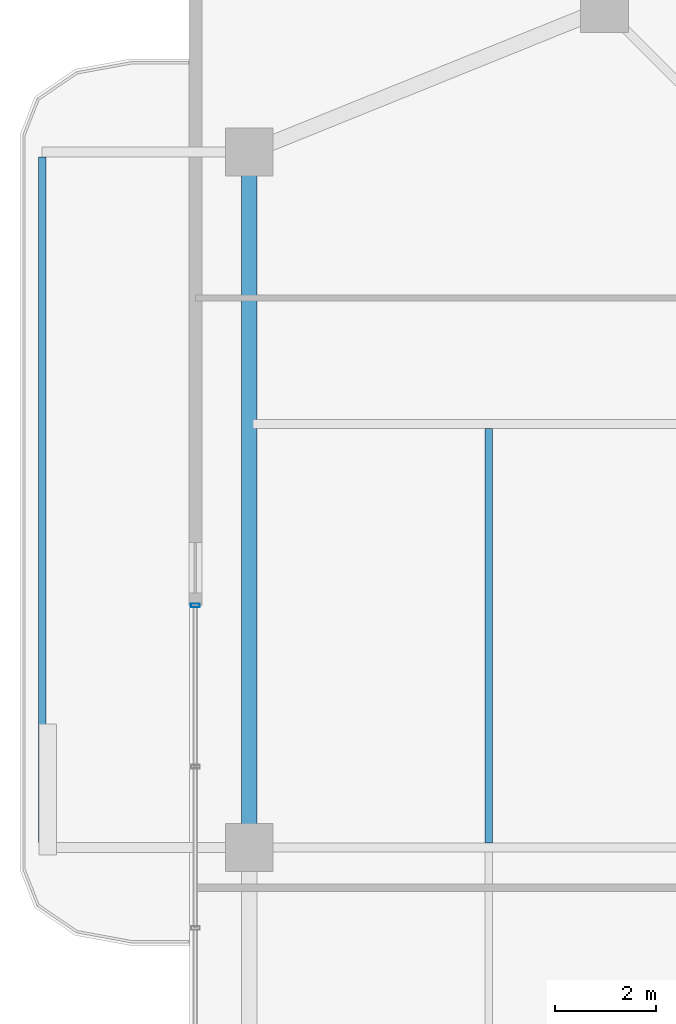
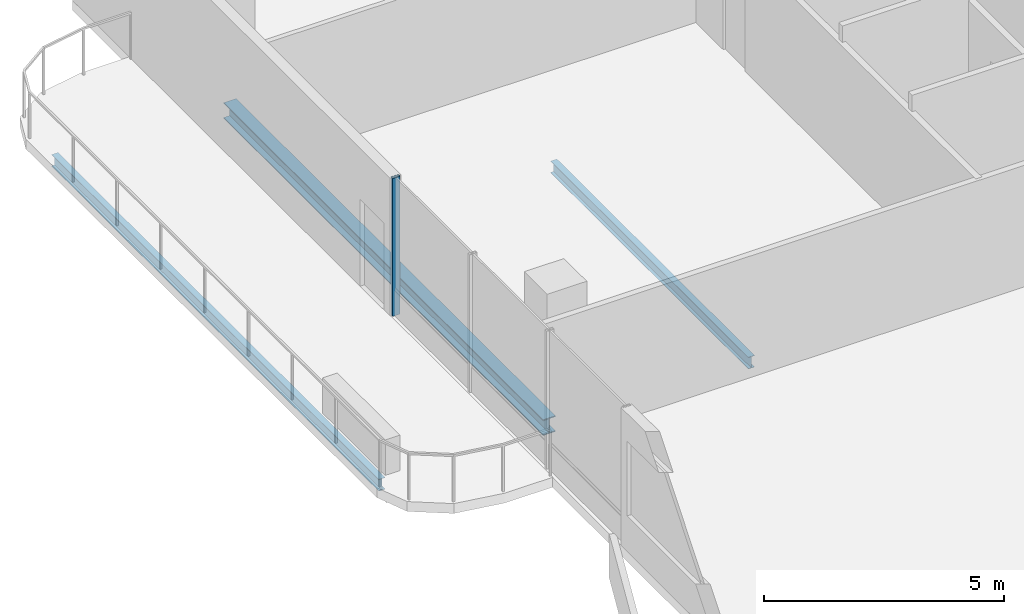
# One storey, part 11 of 23: 3 beams, 1 member, 1 element without a shape of its own.
"""IFC4 building model written with IfcOpenShell, lengths in metres."""

import ifcopenshell
import ifcopenshell.guid

model = None  # the IFC model being written
_history = None  # IfcOwnerHistory: only IFC2X3 demands one
_inside = {}  # id of a spatial element -> (the spatial element, [elements in it])
_under = {}  # id of a project, library or spatial element -> (it, [spatial elements below it])
_declared = {}  # id of a project -> (the project, [libraries it declares])
_typed = {}  # id of a type object -> (the type object, [elements of that type])
_made_of = {}  # id of a material, layer set ... -> (it, [elements and type objects made of it])


def new_model(schema):
    """Start an empty IFC model of exactly this schema.

    Asked for "IFC4X3", IfcOpenShell would pick the latest addendum, in which some entities
    have other attributes; the version numbers below select the first issue.
    IFC2X3 requires an IfcOwnerHistory on every rooted entity: one is made here for all.
    """
    global model, _history
    if schema == "IFC4X3":
        model = ifcopenshell.file(schema_version=(4, 3, 0, 0))
    else:
        model = ifcopenshell.file(schema=schema)
    _inside.clear()
    _under.clear()
    _declared.clear()
    _typed.clear()
    _made_of.clear()
    _history = None
    if model.schema == "IFC2X3":
        org = make("IfcOrganization", Name="unknown")
        user = make(
            "IfcPersonAndOrganization",
            ThePerson=make("IfcPerson", FamilyName="unknown"),
            TheOrganization=org,
        )
        app = make(
            "IfcApplication",
            ApplicationDeveloper=org,
            Version="unknown",
            ApplicationFullName="unknown",
            ApplicationIdentifier="unknown",
        )
        _history = make(
            "IfcOwnerHistory",
            OwningUser=user,
            OwningApplication=app,
            ChangeAction="ADDED",
            CreationDate=0,
        )
    return model


def make(cls, **values):
    """One entity of the class cls with the attributes given. An attribute that is None is left unset."""
    return model.create_entity(
        cls, **{name: value for name, value in values.items() if value is not None}
    )


def rooted(cls, **values):
    """An entity with a GlobalId (a new one), such as an element, a storey or a relation."""
    return make(cls, GlobalId=ifcopenshell.guid.new(), OwnerHistory=_history, **values)


def si_unit(unit_type, name, prefix=None):
    """IfcSIUnit, for example si_unit("LENGTHUNIT", "METRE", prefix="MILLI")."""
    return make("IfcSIUnit", UnitType=unit_type, Prefix=prefix, Name=name)


def assignment(units):
    """IfcUnitAssignment: the units of a project."""
    return None if units is None else make("IfcUnitAssignment", Units=units)


def point(xyz):
    """IfcCartesianPoint."""
    return None if xyz is None else make("IfcCartesianPoint", Coordinates=xyz)


def direction(xyz):
    """IfcDirection."""
    return None if xyz is None else make("IfcDirection", DirectionRatios=xyz)


def frame(location, z_axis=None, x_axis=None):
    """IfcAxis2Placement3D, a coordinate frame: its origin and axes. An axis left out is left unset."""
    return make(
        "IfcAxis2Placement3D",
        Location=point(location),
        Axis=direction(z_axis),
        RefDirection=direction(x_axis),
    )


def frame_2d(location, x_axis=None):
    """IfcAxis2Placement2D, a coordinate frame in the plane: its origin and x axis."""
    return make(
        "IfcAxis2Placement2D", Location=point(location), RefDirection=direction(x_axis)
    )


def origin():
    """The frame at (0, 0, 0) with its axes left unset."""
    return frame((0.0, 0.0, 0.0))


def origin_2d():
    """The frame at (0, 0) in the plane with its x axis left unset."""
    return frame_2d((0.0, 0.0))


def place(relative_to, where):
    """IfcLocalPlacement: puts the frame where relative to a parent placement (None: the world)."""
    return make(
        "IfcLocalPlacement", PlacementRelTo=relative_to, RelativePlacement=where
    )


def context(
    kind, dimensions, precision=None, world=None, true_north=None, identifier=None
):
    """IfcGeometricRepresentationContext, for example the 3D "Model" context."""
    return make(
        "IfcGeometricRepresentationContext",
        ContextIdentifier=identifier,
        ContextType=kind,
        CoordinateSpaceDimension=dimensions,
        Precision=precision,
        WorldCoordinateSystem=world,
        TrueNorth=true_north,
    )


def subcontext(parent, identifier, kind, view, scale=None):
    """IfcGeometricRepresentationSubContext, for example "Body" below "Model"."""
    return make(
        "IfcGeometricRepresentationSubContext",
        ContextIdentifier=identifier,
        ContextType=kind,
        ParentContext=parent,
        TargetScale=scale,
        TargetView=view,
    )


def project(units=None, contexts=None):
    """IfcProject with its units and contexts."""
    return rooted(
        "IfcProject",
        Name="project",
        RepresentationContexts=contexts,
        UnitsInContext=assignment(units),
    )


def spatial(cls, under=None, at=None, **own):
    """A site, building, storey or space (cls), placed at a placement, below another one or the project."""
    s = rooted(cls, ObjectPlacement=at, **own)
    if under is not None:
        _under.setdefault(under.id(), (under, []))[1].append(s)
    return s


def profile(cls, at=None, kind="AREA", **sizes):
    """A parametric profile (cls). Its sizes go by their IFC names, for example OverallWidth=200.0."""
    return make(cls, ProfileType=kind, Position=at, **sizes)


def hollow_rectangle(**sizes):
    """IfcRectangleHollowProfileDef."""
    return profile("IfcRectangleHollowProfileDef", **sizes)


def i_section(**sizes):
    """IfcIShapeProfileDef."""
    return profile("IfcIShapeProfileDef", **sizes)


def extrude(swept, where, along, depth):
    """IfcExtrudedAreaSolid: the profile swept, set in the frame where, extruded along a direction by depth."""
    return make(
        "IfcExtrudedAreaSolid",
        SweptArea=swept,
        Position=where,
        ExtrudedDirection=direction(along),
        Depth=depth,
    )


def shape(context_of_items, identifier, shape_type, items):
    """IfcShapeRepresentation: the items that make up one representation, for example the "Body"."""
    return make(
        "IfcShapeRepresentation",
        ContextOfItems=context_of_items,
        RepresentationIdentifier=identifier,
        RepresentationType=shape_type,
        Items=items,
    )


def material(Name=None, Category=None):
    """IfcMaterial."""
    return make("IfcMaterial", Name=Name, Category=Category)


def layer(
    of_material, thickness, ventilated=None, Name=None, Category=None, Priority=None
):
    """IfcMaterialLayer: one layer of a wall or slab, of a material (None: an air gap)."""
    return make(
        "IfcMaterialLayer",
        Material=of_material,
        LayerThickness=thickness,
        IsVentilated=ventilated,
        Name=Name,
        Category=Category,
        Priority=Priority,
    )


def layer_set(layers, Name=None):
    """IfcMaterialLayerSet."""
    return make("IfcMaterialLayerSet", MaterialLayers=layers, LayerSetName=Name)


def material_profile(
    of_material, cross_section, Name=None, Category=None, Priority=None
):
    """IfcMaterialProfile: a cross section and its material."""
    return make(
        "IfcMaterialProfile",
        Name=Name,
        Material=of_material,
        Profile=cross_section,
        Priority=Priority,
        Category=Category,
    )


def profile_set(profiles, Name=None, composite=None):
    """IfcMaterialProfileSet."""
    return make(
        "IfcMaterialProfileSet",
        Name=Name,
        MaterialProfiles=profiles,
        CompositeProfile=composite,
    )


def made_of(thing, what):
    """Note that an element or type object is made of a material, layer set ...; save() writes the relation."""
    if what is not None:
        _made_of.setdefault(what.id(), (what, []))[1].append(thing)
    return thing


def type_object(cls, material=None, **own):
    """A type object (cls), such as IfcWallType, which elements share."""
    return made_of(rooted(cls, **own), material)


def element(
    cls,
    number,
    at=None,
    inside=None,
    cuts=None,
    type_object=None,
    material=None,
    context=None,
    identifier="Body",
    shape_type=None,
    held_by="IfcProductDefinitionShape",
    body=None,
    shapes=None,
    **own,
):
    """One element of the class cls, such as IfcWall. Its Tag is "e" and its number.

    at: its placement. inside: the storey or other place that contains it. cuts: it is an
    opening in that element (IfcRelVoidsElement). A single representation is given by context,
    identifier, shape_type and body (its items); several are given by shapes. held_by: the class
    of the entity that holds the representations. save() writes the other relations.
    """
    e = rooted(cls, Tag="e%d" % number, ObjectPlacement=at, **own)
    if body is not None:
        shapes = [shape(context, identifier, shape_type, body)]
    if shapes is not None:
        e.Representation = make(held_by, Representations=shapes)
    if inside is not None:
        _inside.setdefault(inside.id(), (inside, []))[1].append(e)
    if cuts is not None:
        rooted(
            "IfcRelVoidsElement", RelatingBuildingElement=cuts, RelatedOpeningElement=e
        )
    if type_object is not None:
        _typed.setdefault(type_object.id(), (type_object, []))[1].append(e)
    return made_of(e, material)


def aggregate(whole, parts):
    """IfcRelAggregates: a whole, such as a stair, and the parts it consists of."""
    return rooted("IfcRelAggregates", RelatingObject=whole, RelatedObjects=parts)


def save(model, path):
    """Write the relations noted so far, then the file.

    IfcRelAggregates (storeys below a building ...), IfcRelContainedInSpatialStructure (elements
    in a storey), IfcRelDefinesByType, IfcRelAssociatesMaterial and IfcRelDeclares: one each for
    every whole, place, type object, material and project.
    """
    for whole, parts in _under.values():
        aggregate(whole, parts)
    for where, things in _inside.values():
        rooted(
            "IfcRelContainedInSpatialStructure",
            RelatedElements=things,
            RelatingStructure=where,
        )
    for kind, things in _typed.values():
        rooted("IfcRelDefinesByType", RelatedObjects=things, RelatingType=kind)
    for what, things in _made_of.values():
        rooted("IfcRelAssociatesMaterial", RelatedObjects=things, RelatingMaterial=what)
    for by, libraries in _declared.values():
        rooted("IfcRelDeclares", RelatingContext=by, RelatedDefinitions=libraries)
    model.write(path)


model = new_model("IFC4")

# Units and contexts
model_context = context("Model", 3, precision=1e-05, world=origin(), true_north=direction((0.0, 1.0)))
body_context = subcontext(model_context, "Body", "Model", "MODEL_VIEW")
ifc_project = project(units=[si_unit("LENGTHUNIT", "METRE"), si_unit("AREAUNIT", "SQUARE_METRE"), si_unit("VOLUMEUNIT", "CUBIC_METRE"), si_unit("PLANEANGLEUNIT", "RADIAN"), si_unit("MASSUNIT", "GRAM", prefix="KILO")], contexts=[model_context])

# Site, building, storey
site_placement = place(None, origin())
site = spatial("IfcSite", under=ifc_project, at=site_placement, CompositionType="ELEMENT")
building_placement = place(site_placement, origin())
building = spatial("IfcBuilding", under=site, at=building_placement, Name="Belovzor Exchange Tower", CompositionType="ELEMENT")
storey_placement = place(building_placement, frame((0.0, 0.0, 276.60009765625)))
storey = spatial("IfcBuildingStorey", under=building, at=storey_placement, Name="L69", CompositionType="ELEMENT", Elevation=276.60009765625)

# Beams
ifc_material_1 = material(Name="Steel S355", Category="steel")
ifc_material_profile_1 = material_profile(ifc_material_1, i_section(OverallWidth=0.14990234375, OverallDepth=0.300048828125, WebThickness=0.007080078125, FlangeThickness=0.0107421875, at=origin_2d()))
ifc_profile_set_1 = profile_set([ifc_material_profile_1], Name="Steel S355")
beam_type_1 = type_object("IfcBeamType", Name="Planted Balcony Fascia Edge Beam IPE 300", PredefinedType="BEAM", material=ifc_profile_set_1)
beam_1_placement = place(storey_placement, frame((0.989013671875, 42.5, -0.400146484375), z_axis=(0.0, -1.0, 0.0), x_axis=(1.0, 0.0, 0.0)))
element("IfcBeam", 1, at=beam_1_placement, inside=storey, type_object=beam_type_1, Name="BC-300 Planted Balcony Fascia Edge Beam IPE 300", PredefinedType="BEAM", context=body_context, shape_type="SweptSolid", body=[
    extrude(i_section(OverallWidth=0.14990234375, OverallDepth=0.300048828125, WebThickness=0.007080078125, FlangeThickness=0.0107421875, at=origin_2d()), origin(), (0.0, 0.0, 1.0), 13.60009765625),
])
ifc_material_2 = material(Name="Steel S355", Category="steel")
ifc_material_profile_2 = material_profile(ifc_material_2, i_section(OverallWidth=0.14990234375, OverallDepth=0.300048828125, WebThickness=0.007080078125, FlangeThickness=0.0107421875, at=origin_2d()))
ifc_profile_set_2 = profile_set([ifc_material_profile_2], Name="Steel S355")
beam_type_2 = type_object("IfcBeamType", Name="Secondary Trim Floor Joist IPE 300", PredefinedType="BEAM", material=ifc_profile_set_2)
beam_2_placement = place(storey_placement, frame((9.85498046875, 28.889892578125, -0.400146484375), z_axis=(0.0, 1.0, 0.0), x_axis=(-1.0, 0.0, 0.0)))
element("IfcBeam", 2, at=beam_2_placement, inside=storey, type_object=beam_type_2, Name="FJ-300 Secondary Trim Floor Joist IPE 300", PredefinedType="BEAM", context=body_context, shape_type="SweptSolid", body=[
    extrude(i_section(OverallWidth=0.14990234375, OverallDepth=0.300048828125, WebThickness=0.007080078125, FlangeThickness=0.0107421875, at=origin_2d()), origin(), (0.0, 0.0, 1.0), 8.22021484375),
])

# Curtain wall, member
ifc_material_3 = material(Name="Anodised Aluminium Framing", Category="aluminium")
ifc_layer = layer(ifc_material_3, 0.179931640625)
ifc_layer_set = layer_set([ifc_layer], Name="Anodised Aluminium Framing")
curtain_wall_type = type_object("IfcCurtainWallType", Name="Recessed Loggia Low-Iron Triple-Glazed Curtain Wall", PredefinedType="NOTDEFINED", material=ifc_layer_set)
curtain_wall_placement = place(storey_placement, origin())
curtain_wall = element("IfcCurtainWall", 3, at=curtain_wall_placement, inside=storey, type_object=curtain_wall_type, Name="CW3 Recessed Loggia Low-Iron Triple-Glazed Curtain Wall L69", PredefinedType="NOTDEFINED")
ifc_material_4 = material(Name="Steel S355", Category="steel")
ifc_material_profile_3 = material_profile(ifc_material_4, hollow_rectangle(XDim=0.074951171875, YDim=0.179931640625, WallThickness=0.0048828125, at=origin_2d()))
ifc_profile_set_3 = profile_set([ifc_material_profile_3], Name="Steel S355")
member_type = type_object("IfcMemberType", Name="Thermally Broken Curtain Wall Mullion 180x75", PredefinedType="MULLION", material=ifc_profile_set_3)
member_placement = place(storey_placement, frame((4.030029296875, 33.60009765625, 0.0), z_axis=(0.0, 0.0, 1.0), x_axis=(0.0, 1.0, 0.0)))
member = element("IfcMember", 4, at=member_placement, type_object=member_type, Name="CW-M180 Curtain Wall Mullion 4", PredefinedType="MULLION", context=body_context, shape_type="SweptSolid", body=[
    extrude(hollow_rectangle(XDim=0.074951171875, YDim=0.179931640625, WallThickness=0.0048828125, at=origin_2d()), origin(), (0.0, 0.0, 1.0), 3.5),
])
aggregate(curtain_wall, [member])

# Beam
ifc_material_5 = material(Name="Steel S355", Category="steel")
ifc_material_profile_4 = material_profile(ifc_material_5, i_section(OverallWidth=0.300048828125, OverallDepth=0.39990234375, WebThickness=0.013427734375, FlangeThickness=0.02392578125, at=origin_2d()))
ifc_profile_set_4 = profile_set([ifc_material_profile_4], Name="Steel S355")
beam_type_3 = type_object("IfcBeamType", Name="Zone 5 Primary Girder HEB 400", PredefinedType="BEAM", material=ifc_profile_set_4)
beam_3_placement = place(storey_placement, frame((5.10009765625, 42.339111328125, -0.4501953125), z_axis=(0.0, -1.0, 0.0), x_axis=(1.0, 0.0, 0.0)))
element("IfcBeam", 5, at=beam_3_placement, inside=storey, type_object=beam_type_3, Name="FG-Z5 Zone 5 Primary Girder HEB 400", PredefinedType="BEAM", context=body_context, shape_type="SweptSolid", body=[
    extrude(i_section(OverallWidth=0.300048828125, OverallDepth=0.39990234375, WebThickness=0.013427734375, FlangeThickness=0.02392578125, at=origin_2d()), origin(), (0.0, 0.0, 1.0), 13.278076171875),
])

save(model, "model.ifc")
